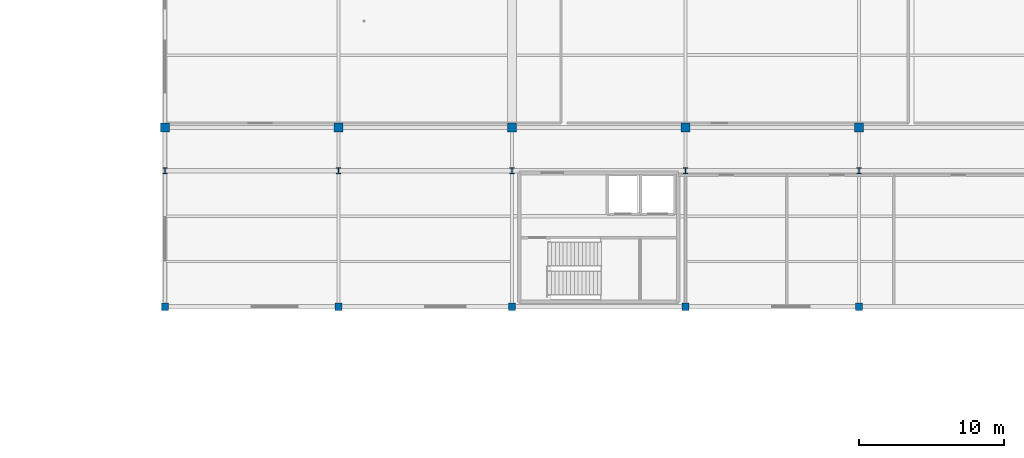
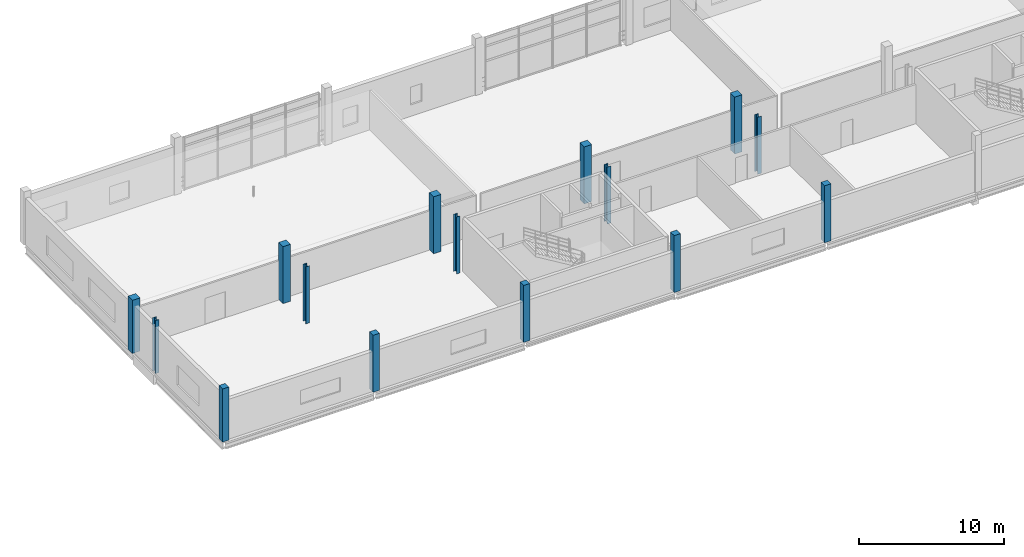
# One storey, part 11 of 52: 15 columns.
"""IFC4 building model written with IfcOpenShell, lengths in metres."""

from ifc_helpers import new_model, si_unit, direction, frame, origin, origin_2d, place, context, subcontext, project, spatial, rectangle, i_section, extrude, material, material_profile, profile_set, type_object, element, save


model = new_model("IFC4")

# Units and contexts
model_context = context("Model", 3, precision=1e-05, world=origin(), true_north=direction((0.0, 1.0)))
body_context = subcontext(model_context, "Body", "Model", "MODEL_VIEW")
ifc_project = project(units=[si_unit("LENGTHUNIT", "METRE"), si_unit("AREAUNIT", "SQUARE_METRE"), si_unit("VOLUMEUNIT", "CUBIC_METRE"), si_unit("PLANEANGLEUNIT", "RADIAN"), si_unit("MASSUNIT", "GRAM", prefix="KILO"), si_unit("THERMODYNAMICTEMPERATUREUNIT", "KELVIN"), si_unit("POWERUNIT", "WATT")], contexts=[model_context])

# Site, building, storey
site_placement = place(None, origin())
site = spatial("IfcSite", under=ifc_project, at=site_placement, CompositionType="ELEMENT")
building_placement = place(site_placement, origin())
building = spatial("IfcBuilding", under=site, at=building_placement, Name="Solmara Park Aquatics Centre", CompositionType="ELEMENT")
storey_placement = place(building_placement, frame((0.0, 0.0, 9.60009765625)))
storey = spatial("IfcBuildingStorey", under=building, at=storey_placement, Name="L02", CompositionType="ELEMENT", Elevation=9.60009765625)

# Columns
ifc_material_1 = material(Name="Structural Steel S355", Category="steel")
ifc_material_profile_1 = material_profile(ifc_material_1, i_section(OverallWidth=0.300048828125, OverallDepth=0.39990234375, WebThickness=0.013427734375, FlangeThickness=0.02392578125, FilletRadius=0.027099609375, at=origin_2d()), Name="HEB 400")
ifc_profile_set_1 = profile_set([ifc_material_profile_1], Name="Structural Steel S355")
column_type_1 = type_object("IfcColumnType", Name="STR-COL-HEB400", PredefinedType="COLUMN", material=ifc_profile_set_1)
column_1_placement = place(storey_placement, frame((24.60009765625, 118.0, 0.0), z_axis=(0.0, 0.0, 1.0), x_axis=(1.0, 0.0, 0.0)))
element("IfcColumn", 1, at=column_1_placement, inside=storey, type_object=column_type_1, Name="Column L02-0472", PredefinedType="COLUMN", context=body_context, shape_type="SweptSolid", body=[
    extrude(i_section(OverallWidth=0.300048828125, OverallDepth=0.39990234375, WebThickness=0.013427734375, FlangeThickness=0.02392578125, FilletRadius=0.027099609375, at=origin_2d()), origin(), (0.0, 0.0, 1.0), 4.47998046875),
])
for number, where, z_axis, x_axis, name in (
    (2, (36.60009765625, 118.0, 0.0), (0.0, 0.0, 1.0), (1.0, 0.0, 0.0), "Column L02-0480"),
    (3, (48.60009765625, 118.0, 0.0), (0.0, 0.0, 1.0), (1.0, 0.0, 0.0), "Column L02-0488"),
    (4, (60.60009765625, 118.0, 0.0), (0.0, 0.0, 1.0), (1.0, 0.0, 0.0), "Column L02-0496"),
    (5, (72.60009765625, 118.0, 0.0), (0.0, 0.0, 1.0), (1.0, 0.0, 0.0), "Column L02-0504"),
):
    element("IfcColumn", number, at=place(storey_placement, frame(where, z_axis=z_axis, x_axis=x_axis)), inside=storey, type_object=column_type_1, Name=name, PredefinedType="COLUMN", context=body_context, shape_type="SweptSolid", body=[
        extrude(i_section(OverallWidth=0.300048828125, OverallDepth=0.39990234375, WebThickness=0.013427734375, FlangeThickness=0.02392578125, FilletRadius=0.027099609375, at=origin_2d()), origin(), (0.0, 0.0, 1.0), 4.7998046875),
    ])
ifc_material_2 = material(Name="Concrete C40/50", Category="concrete")
ifc_material_profile_2 = material_profile(ifc_material_2, rectangle(XDim=0.5, YDim=0.5, at=origin_2d()), Name="RC 500x500")
ifc_profile_set_2 = profile_set([ifc_material_profile_2], Name="Concrete C40/50")
column_type_2 = type_object("IfcColumnType", Name="STR-COL-RC500", PredefinedType="COLUMN", material=ifc_profile_set_2)
column_2_placement = place(storey_placement, frame((24.60009765625, 108.60009765625, 0.0), z_axis=(0.0, 0.0, 1.0), x_axis=(1.0, 0.0, 0.0)))
element("IfcColumn", 6, at=column_2_placement, inside=storey, type_object=column_type_2, Name="Column L02-0471", PredefinedType="COLUMN", context=body_context, shape_type="SweptSolid", body=[
    extrude(rectangle(XDim=0.5, YDim=0.5, at=origin_2d()), origin(), (0.0, 0.0, 1.0), 4.47998046875),
])
for number, where, z_axis, x_axis, name in (
    (7, (36.60009765625, 108.60009765625, 0.0), (0.0, 0.0, 1.0), (1.0, 0.0, 0.0), "Column L02-0479"),
    (8, (48.60009765625, 108.60009765625, 0.0), (0.0, 0.0, 1.0), (1.0, 0.0, 0.0), "Column L02-0487"),
    (9, (60.60009765625, 108.60009765625, 0.0), (0.0, 0.0, 1.0), (1.0, 0.0, 0.0), "Column L02-0495"),
    (10, (72.60009765625, 108.60009765625, 0.0), (0.0, 0.0, 1.0), (1.0, 0.0, 0.0), "Column L02-0503"),
):
    element("IfcColumn", number, at=place(storey_placement, frame(where, z_axis=z_axis, x_axis=x_axis)), inside=storey, type_object=column_type_2, Name=name, PredefinedType="COLUMN", context=body_context, shape_type="SweptSolid", body=[
        extrude(rectangle(XDim=0.5, YDim=0.5, at=origin_2d()), origin(), (0.0, 0.0, 1.0), 4.7998046875),
    ])
ifc_material_profile_3 = material_profile(ifc_material_2, rectangle(XDim=0.60009765625, YDim=0.60009765625, at=origin_2d()), Name="RC 600x600")
ifc_profile_set_3 = profile_set([ifc_material_profile_3], Name="Concrete C40/50")
column_type_3 = type_object("IfcColumnType", Name="STR-COL-RC600", PredefinedType="COLUMN", material=ifc_profile_set_3)
column_3_placement = place(storey_placement, frame((24.60009765625, 121.0, 0.0), z_axis=(0.0, 0.0, 1.0), x_axis=(1.0, 0.0, 0.0)))
element("IfcColumn", 11, at=column_3_placement, inside=storey, type_object=column_type_3, Name="Column L02-0473", PredefinedType="COLUMN", context=body_context, shape_type="SweptSolid", body=[
    extrude(rectangle(XDim=0.60009765625, YDim=0.60009765625, at=origin_2d()), origin(), (0.0, 0.0, 1.0), 4.47998046875),
])
for number, where, z_axis, x_axis, name in (
    (12, (36.60009765625, 121.0, 0.0), (0.0, 0.0, 1.0), (1.0, 0.0, 0.0), "Column L02-0481"),
    (13, (48.60009765625, 121.0, 0.0), (0.0, 0.0, 1.0), (1.0, 0.0, 0.0), "Column L02-0489"),
    (14, (60.60009765625, 121.0, 0.0), (0.0, 0.0, 1.0), (1.0, 0.0, 0.0), "Column L02-0497"),
    (15, (72.60009765625, 121.0, 0.0), (0.0, 0.0, 1.0), (1.0, 0.0, 0.0), "Column L02-0505"),
):
    element("IfcColumn", number, at=place(storey_placement, frame(where, z_axis=z_axis, x_axis=x_axis)), inside=storey, type_object=column_type_3, Name=name, PredefinedType="COLUMN", context=body_context, shape_type="SweptSolid", body=[
        extrude(rectangle(XDim=0.60009765625, YDim=0.60009765625, at=origin_2d()), origin(), (0.0, 0.0, 1.0), 4.7998046875),
    ])

save(model, "model.ifc")
